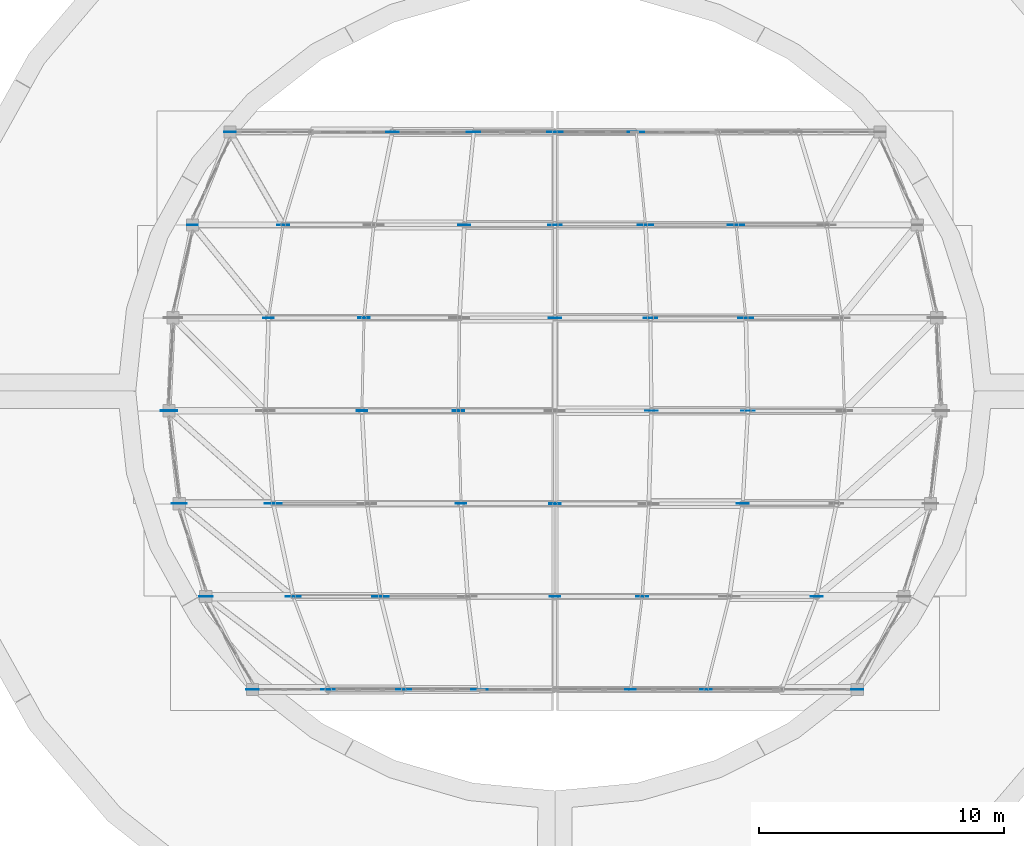
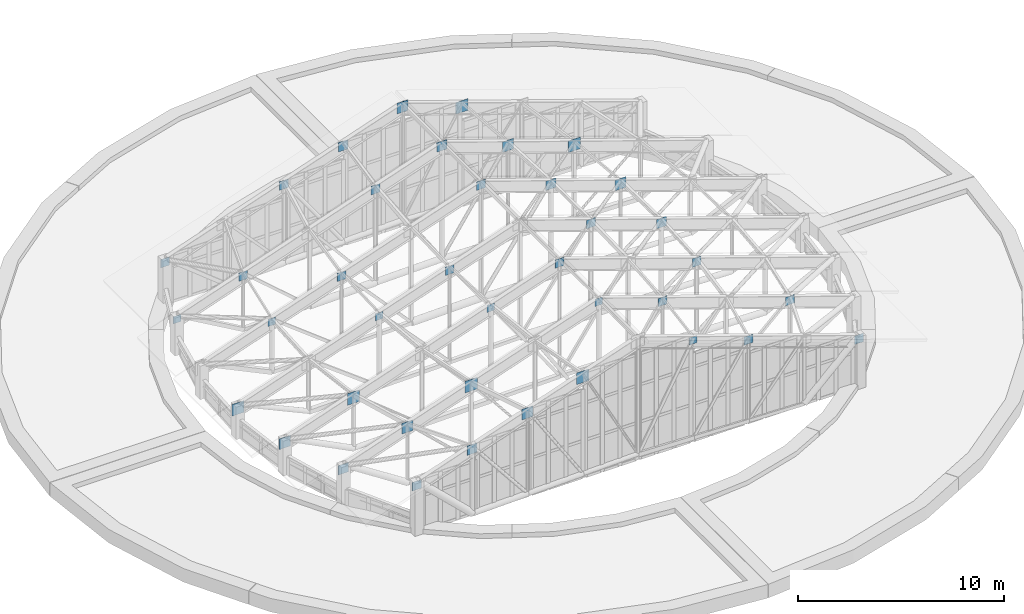
# One storey, part 76 of 105: 39 plates.
"""IFC4 building model written with IfcOpenShell, lengths in metres."""

from ifc_helpers import new_model, si_unit, direction, frame, origin, origin_2d, place, context, subcontext, project, spatial, rectangle, extrude, material, layer, layer_set, type_object, element, save


model = new_model("IFC4")

# Units and contexts
model_context = context("Model", 3, precision=1e-05, world=origin(), true_north=direction((0.0, 1.0)))
body_context = subcontext(model_context, "Body", "Model", "MODEL_VIEW")
ifc_project = project(units=[si_unit("LENGTHUNIT", "METRE"), si_unit("AREAUNIT", "SQUARE_METRE"), si_unit("VOLUMEUNIT", "CUBIC_METRE"), si_unit("PLANEANGLEUNIT", "RADIAN"), si_unit("MASSUNIT", "GRAM", prefix="KILO")], contexts=[model_context])

# Site, building, storey
site_placement = place(None, origin())
site = spatial("IfcSite", under=ifc_project, at=site_placement, CompositionType="ELEMENT")
building_placement = place(site_placement, origin())
building = spatial("IfcBuilding", under=site, at=building_placement, Name="Corveleigh Park Community Centre", CompositionType="ELEMENT")
storey_placement = place(building_placement, frame((0.0, 0.0, 8.699951171875)))
storey = spatial("IfcBuildingStorey", under=building, at=storey_placement, Name="L02", CompositionType="ELEMENT", Elevation=8.699951171875)

# Plates
ifc_material = material(Name="Steel S355", Category="steel")
ifc_layer_1 = layer(ifc_material, 0.02197265625, Name="Steel S355", Category="steel")
ifc_layer_set_1 = layer_set([ifc_layer_1], Name="Steel S355")
plate_type_1 = type_object("IfcPlateType", Name="PLT-CAP-22", PredefinedType="SHEET", material=ifc_layer_set_1)
for number, where, z_axis, x_axis, name in (
    (1, (34.091064453125, 15.39990234375, 5.75390625), (0.0, 0.0, 1.0), (1.0, 0.0, 0.0), "V1 Truss T1 Gusset"),
    (2, (31.0, 19.199951171875, 6.81005859375), (0.0, 0.0, 1.0), (1.0, 0.0, 0.0), "V1 Truss T2 Gusset"),
    (3, (27.159912109375, 23.0, 5.498046875), (0.0, 0.0, 1.0), (1.0, 0.0, 0.0), "V1 Truss T3 Gusset"),
    (4, (23.10595703125, 26.800048828125, 4.113037109375), (0.0, 0.0, 1.0), (1.0, 0.0, 0.0), "V1 Truss T4 Gusset"),
    (5, (19.2900390625, 30.60009765625, 2.80908203125), (0.0, 0.0, 1.0), (1.0, 0.0, 0.0), "V1 Truss T5 Gusset"),
    (6, (16.180908203125, 34.39990234375, 1.746826171875), (0.0, 0.0, 1.0), (1.0, 0.0, 0.0), "V1 Truss T6 Gusset"),
):
    element("IfcPlate", number, at=place(storey_placement, frame(where, z_axis=z_axis, x_axis=x_axis)), inside=storey, type_object=plate_type_1, Name=name, PredefinedType="SHEET", context=body_context, shape_type="SweptSolid", body=[
        extrude(rectangle(XDim=0.419921875, YDim=0.02197265625, at=origin_2d()), origin(), (0.0, 0.0, 1.0), 0.419921875),
    ])
ifc_layer_2 = layer(ifc_material, 0.028076171875, Name="Steel S355", Category="steel")
ifc_layer_set_2 = layer_set([ifc_layer_2], Name="Steel S355")
plate_type_2 = type_object("IfcPlateType", Name="PLT-CAP-28", PredefinedType="SHEET", material=ifc_layer_set_2)
for number, where, z_axis, x_axis, name in (
    (7, (37.18310546875, 15.39990234375, 4.66748046875), (0.0, 0.0, 1.0), (1.0, 0.0, 0.0), "V1 Truss T1 Gusset"),
    (8, (34.569091796875, 19.199951171875, 5.560546875), (0.0, 0.0, 1.0), (1.0, 0.0, 0.0), "V1 Truss T2 Gusset"),
    (9, (31.0, 23.0, 6.780029296875), (0.0, 0.0, 1.0), (1.0, 0.0, 0.0), "V1 Truss T3 Gusset"),
    (10, (27.052978515625, 26.800048828125, 5.431396484375), (0.0, 0.0, 1.0), (1.0, 0.0, 0.0), "V1 Truss T4 Gusset"),
    (11, (23.193115234375, 30.60009765625, 4.112548828125), (0.0, 0.0, 1.0), (1.0, 0.0, 0.0), "V1 Truss T5 Gusset"),
    (12, (19.885986328125, 34.39990234375, 2.982666015625), (0.0, 0.0, 1.0), (1.0, 0.0, 0.0), "V1 Truss T6 Gusset"),
    (13, (17.7099609375, 38.199951171875, 2.2392578125), (0.0, 0.0, 1.0), (1.0, 0.0, 0.0), "V1 Truss T7 Gusset"),
):
    element("IfcPlate", number, at=place(storey_placement, frame(where, z_axis=z_axis, x_axis=x_axis)), inside=storey, type_object=plate_type_2, Name=name, PredefinedType="SHEET", context=body_context, shape_type="SweptSolid", body=[
        extrude(rectangle(XDim=0.47998046875, YDim=0.028076171875, at=origin_2d()), origin(), (0.0, 0.0, 1.0), 0.47998046875),
    ])
ifc_layer_3 = layer(ifc_material, 0.01806640625, Name="Steel S355", Category="steel")
ifc_layer_set_3 = layer_set([ifc_layer_3], Name="Steel S355")
plate_type_3 = type_object("IfcPlateType", Name="PLT-GUS-18", PredefinedType="SHEET", material=ifc_layer_set_3)
for number, where, z_axis, x_axis, name in (
    (14, (18.634033203125, 15.39990234375, 2.544921875), (0.0, 0.0, 1.0), (1.0, 0.0, 0.0), "V1 Truss T1 Gusset"),
    (15, (43.365966796875, 15.39990234375, 2.544921875), (0.0, 0.0, 1.0), (1.0, 0.0, 0.0), "V1 Truss T1 Gusset"),
    (16, (41.7060546875, 19.199951171875, 3.112060546875), (0.0, 0.0, 1.0), (1.0, 0.0, 0.0), "V1 Truss T2 Gusset"),
    (17, (38.679931640625, 23.0, 4.14599609375), (0.0, 0.0, 1.0), (1.0, 0.0, 0.0), "V1 Truss T3 Gusset"),
    (18, (34.947021484375, 26.800048828125, 5.42138671875), (0.0, 0.0, 1.0), (1.0, 0.0, 0.0), "V1 Truss T4 Gusset"),
    (19, (31.0, 30.60009765625, 6.77001953125), (0.0, 0.0, 1.0), (1.0, 0.0, 0.0), "V1 Truss T5 Gusset"),
    (20, (27.294921875, 34.39990234375, 5.504150390625), (0.0, 0.0, 1.0), (1.0, 0.0, 0.0), "V1 Truss T6 Gusset"),
    (21, (24.35498046875, 38.199951171875, 4.499755859375), (0.0, 0.0, 1.0), (1.0, 0.0, 0.0), "V1 Truss T7 Gusset"),
):
    element("IfcPlate", number, at=place(storey_placement, frame(where, z_axis=z_axis, x_axis=x_axis)), inside=storey, type_object=plate_type_3, Name=name, PredefinedType="SHEET", context=body_context, shape_type="SweptSolid", body=[
        extrude(rectangle(XDim=0.5, YDim=0.01806640625, at=origin_2d()), origin(), (0.0, 0.0, 1.0), 0.5),
    ])
ifc_layer_4 = layer(ifc_material, 0.02001953125, Name="Steel S355", Category="steel")
ifc_layer_set_4 = layer_set([ifc_layer_4], Name="Steel S355")
plate_type_4 = type_object("IfcPlateType", Name="PLT-GUS-20", PredefinedType="SHEET", material=ifc_layer_set_4)
for number, where, z_axis, x_axis, name in (
    (22, (21.72607421875, 15.39990234375, 3.57666015625), (0.0, 0.0, 1.0), (1.0, 0.0, 0.0), "V1 Truss T1 Gusset"),
    (23, (16.72509765625, 19.199951171875, 1.86767578125), (0.0, 0.0, 1.0), (1.0, 0.0, 0.0), "V1 Truss T2 Gusset"),
    (24, (38.89306640625, 26.800048828125, 4.04833984375), (0.0, 0.0, 1.0), (1.0, 0.0, 0.0), "V1 Truss T4 Gusset"),
    (25, (34.903076171875, 30.60009765625, 5.41162109375), (0.0, 0.0, 1.0), (1.0, 0.0, 0.0), "V1 Truss T5 Gusset"),
    (26, (31.0, 34.39990234375, 6.7451171875), (0.0, 0.0, 1.0), (1.0, 0.0, 0.0), "V1 Truss T6 Gusset"),
    (27, (27.677978515625, 38.199951171875, 5.60986328125), (0.0, 0.0, 1.0), (1.0, 0.0, 0.0), "V1 Truss T7 Gusset"),
):
    element("IfcPlate", number, at=place(storey_placement, frame(where, z_axis=z_axis, x_axis=x_axis)), inside=storey, type_object=plate_type_4, Name=name, PredefinedType="SHEET", context=body_context, shape_type="SweptSolid", body=[
        extrude(rectangle(XDim=0.550048828125, YDim=0.02001953125, at=origin_2d()), origin(), (0.0, 0.0, 1.0), 0.550048828125),
    ])
ifc_layer_5 = layer(ifc_material, 0.02392578125, Name="Steel S355", Category="steel")
ifc_layer_set_5 = layer_set([ifc_layer_5], Name="Steel S355")
plate_type_5 = type_object("IfcPlateType", Name="PLT-GUS-24", PredefinedType="SHEET", material=ifc_layer_set_5)
for number, where, z_axis, x_axis, name in (
    (28, (24.81689453125, 15.39990234375, 4.597412109375), (0.0, 0.0, 1.0), (1.0, 0.0, 0.0), "V1 Truss T1 Gusset"),
    (29, (20.2939453125, 19.199951171875, 3.052001953125), (0.0, 0.0, 1.0), (1.0, 0.0, 0.0), "V1 Truss T2 Gusset"),
    (30, (15.64111328125, 23.0, 1.46240234375), (0.0, 0.0, 1.0), (1.0, 0.0, 0.0), "V1 Truss T3 Gusset"),
    (31, (38.806884765625, 30.60009765625, 4.04248046875), (0.0, 0.0, 1.0), (1.0, 0.0, 0.0), "V1 Truss T5 Gusset"),
    (32, (34.705078125, 34.39990234375, 5.444091796875), (0.0, 0.0, 1.0), (1.0, 0.0, 0.0), "V1 Truss T6 Gusset"),
    (33, (31.0, 38.199951171875, 6.7099609375), (0.0, 0.0, 1.0), (1.0, 0.0, 0.0), "V1 Truss T7 Gusset"),
):
    element("IfcPlate", number, at=place(storey_placement, frame(where, z_axis=z_axis, x_axis=x_axis)), inside=storey, type_object=plate_type_5, Name=name, PredefinedType="SHEET", context=body_context, shape_type="SweptSolid", body=[
        extrude(rectangle(XDim=0.6201171875, YDim=0.02392578125, at=origin_2d()), origin(), (0.0, 0.0, 1.0), 0.6201171875),
    ])
ifc_layer_6 = layer(ifc_material, 0.02587890625, Name="Steel S355", Category="steel")
ifc_layer_set_6 = layer_set([ifc_layer_6], Name="Steel S355")
plate_type_6 = type_object("IfcPlateType", Name="PLT-GUS-26", PredefinedType="SHEET", material=ifc_layer_set_6)
for number, where, z_axis, x_axis, name in (
    (34, (27.908935546875, 15.39990234375, 5.6240234375), (0.0, 0.0, 1.0), (1.0, 0.0, 0.0), "V1 Truss T1 Gusset"),
    (35, (23.863037109375, 19.199951171875, 4.24169921875), (0.0, 0.0, 1.0), (1.0, 0.0, 0.0), "V1 Truss T2 Gusset"),
    (36, (19.48095703125, 23.0, 2.744140625), (0.0, 0.0, 1.0), (1.0, 0.0, 0.0), "V1 Truss T3 Gusset"),
    (37, (15.212890625, 26.800048828125, 1.2861328125), (0.0, 0.0, 1.0), (1.0, 0.0, 0.0), "V1 Truss T4 Gusset"),
    (38, (38.409912109375, 34.39990234375, 4.1484375), (0.0, 0.0, 1.0), (1.0, 0.0, 0.0), "V1 Truss T6 Gusset"),
    (39, (34.322021484375, 38.199951171875, 5.544921875), (0.0, 0.0, 1.0), (1.0, 0.0, 0.0), "V1 Truss T7 Gusset"),
):
    element("IfcPlate", number, at=place(storey_placement, frame(where, z_axis=z_axis, x_axis=x_axis)), inside=storey, type_object=plate_type_6, Name=name, PredefinedType="SHEET", context=body_context, shape_type="SweptSolid", body=[
        extrude(rectangle(XDim=0.679931640625, YDim=0.02587890625, at=origin_2d()), origin(), (0.0, 0.0, 1.0), 0.679931640625),
    ])

save(model, "model.ifc")
